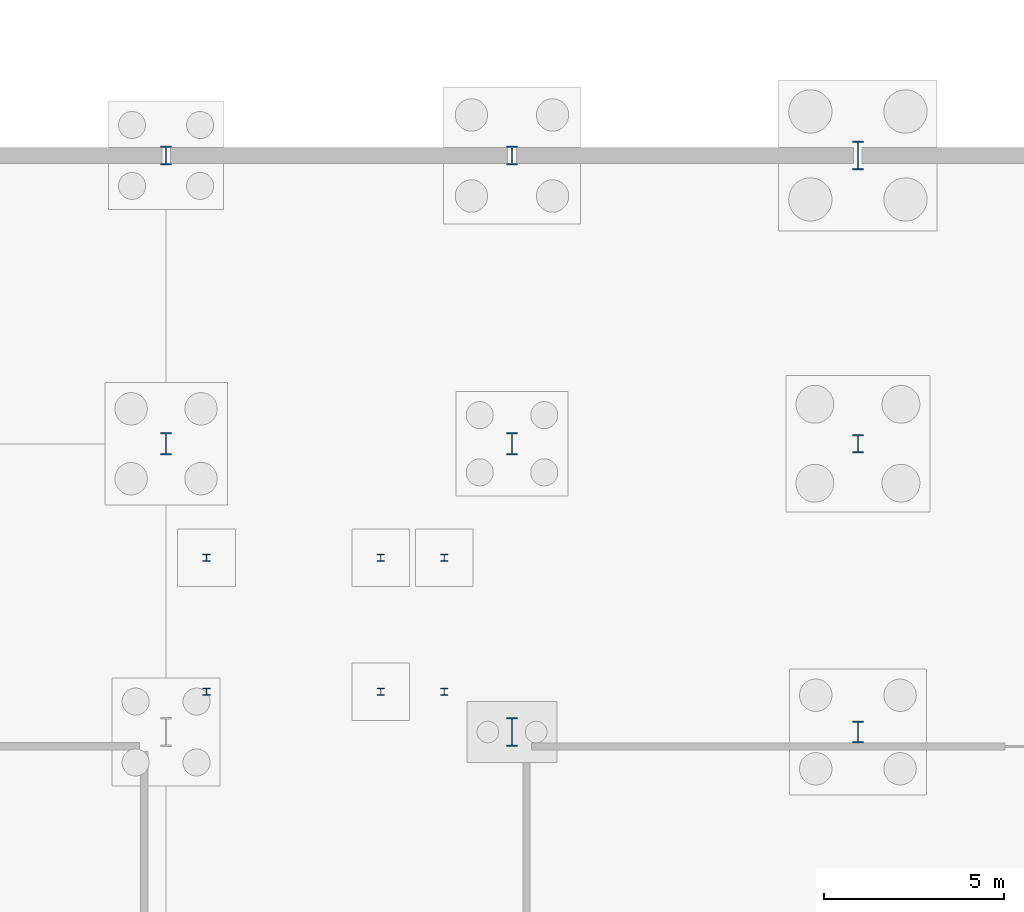
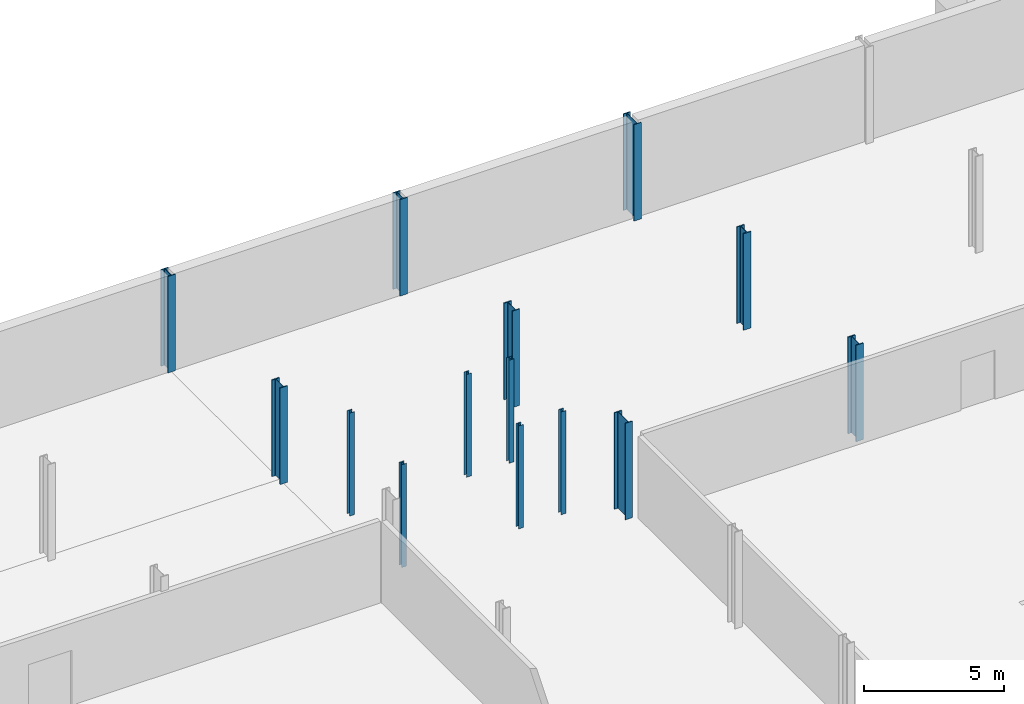
# One storey, part 24 of 47: 14 columns.
"""IFC4 building model written with IfcOpenShell, lengths in metres."""

from ifc_helpers import new_model, si_unit, direction, frame, origin, origin_2d, place, context, subcontext, project, spatial, i_section, extrude, material, material_profile, profile_set, type_object, element, save


model = new_model("IFC4")

# Units and contexts
model_context = context("Model", 3, precision=1e-05, world=origin(), true_north=direction((0.0, 1.0)))
body_context = subcontext(model_context, "Body", "Model", "MODEL_VIEW")
ifc_project = project(units=[si_unit("LENGTHUNIT", "METRE"), si_unit("AREAUNIT", "SQUARE_METRE"), si_unit("VOLUMEUNIT", "CUBIC_METRE"), si_unit("PLANEANGLEUNIT", "RADIAN"), si_unit("MASSUNIT", "GRAM", prefix="KILO")], contexts=[model_context])

# Site, building, storey
site_placement = place(None, origin())
site = spatial("IfcSite", under=ifc_project, at=site_placement, CompositionType="ELEMENT")
building_placement = place(site_placement, origin())
building = spatial("IfcBuilding", under=site, at=building_placement, Name="Alderhovde Museum", CompositionType="ELEMENT")
storey_placement = place(building_placement, frame((0.0, 0.0, -4.5)))
storey = spatial("IfcBuildingStorey", under=building, at=storey_placement, Name="B1", CompositionType="ELEMENT", Elevation=-4.5)

# Columns
ifc_material_1 = material(Name="Steel S355J2", Category="steel")
ifc_material_profile_1 = material_profile(ifc_material_1, i_section(OverallWidth=0.199951171875, OverallDepth=0.18994140625, WebThickness=0.006591796875, FlangeThickness=0.010009765625, FilletRadius=0.01806640625, at=origin_2d()), Name="HEA 200")
ifc_profile_set_1 = profile_set([ifc_material_profile_1], Name="Steel S355J2")
column_type_1 = type_object("IfcColumnType", Name="COL-HEA200", PredefinedType="COLUMN", material=ifc_profile_set_1)
for number, where, z_axis, x_axis, name in (
    (1, (77.919921875, 73.1201171875, 0.0), (0.0, 0.0, 1.0), (1.0, 0.0, 0.0), "B1 Stair ST5 Shaft Column 1"),
    (2, (84.52001953125, 73.1201171875, 0.0), (0.0, 0.0, 1.0), (1.0, 0.0, 0.0), "B1 Stair ST5 Shaft Column 2"),
    (3, (84.52001953125, 76.840087890625, 0.0), (0.0, 0.0, 1.0), (1.0, 0.0, 0.0), "B1 Stair ST5 Shaft Column 3"),
    (4, (77.919921875, 76.840087890625, 0.0), (0.0, 0.0, 1.0), (1.0, 0.0, 0.0), "B1 Stair ST5 Shaft Column 4"),
    (5, (82.760009765625, 73.1201171875, 0.0), (0.0, 0.0, 1.0), (1.0, 0.0, 0.0), "B1 Stair ST5 Shaft Column 5"),
    (6, (82.760009765625, 76.840087890625, 0.0), (0.0, 0.0, 1.0), (1.0, 0.0, 0.0), "B1 Stair ST5 Shaft Column 6"),
):
    element("IfcColumn", number, at=place(storey_placement, frame(where, z_axis=z_axis, x_axis=x_axis)), inside=storey, type_object=column_type_1, Name=name, PredefinedType="COLUMN", context=body_context, shape_type="SweptSolid", body=[
        extrude(i_section(OverallWidth=0.199951171875, OverallDepth=0.18994140625, WebThickness=0.006591796875, FlangeThickness=0.010009765625, FilletRadius=0.01806640625, at=origin_2d()), origin(), (0.0, 0.0, 1.0), 4.5),
    ])
ifc_material_2 = material(Name="Steel S355J2", Category="steel")
ifc_material_profile_2 = material_profile(ifc_material_2, i_section(OverallWidth=0.300048828125, OverallDepth=0.800048828125, WebThickness=0.017578125, FlangeThickness=0.032958984375, FilletRadius=0.030029296875, at=origin_2d()), Name="HEB 800")
ifc_profile_set_2 = profile_set([ifc_material_profile_2], Name="Steel S355J2")
column_type_2 = type_object("IfcColumnType", Name="COL-HEB800", PredefinedType="COLUMN", material=ifc_profile_set_2)
for number, where, z_axis, x_axis, name in (
    (7, (86.39990234375, 72.0, 0.0), (0.0, 0.0, 1.0), (1.0, 0.0, 0.0), "B1 Column (86.4, 72.0)"),
    (8, (96.0, 88.0, 0.0), (0.0, 0.0, 1.0), (1.0, 0.0, 0.0), "B1 Column (96.0, 88.0)"),
):
    element("IfcColumn", number, at=place(storey_placement, frame(where, z_axis=z_axis, x_axis=x_axis)), inside=storey, type_object=column_type_2, Name=name, PredefinedType="COLUMN", context=body_context, shape_type="SweptSolid", body=[
        extrude(i_section(OverallWidth=0.300048828125, OverallDepth=0.800048828125, WebThickness=0.017578125, FlangeThickness=0.032958984375, FilletRadius=0.030029296875, at=origin_2d()), origin(), (0.0, 0.0, 1.0), 4.219970703125),
    ])
ifc_material_3 = material(Name="Steel S355J2", Category="steel")
ifc_material_profile_3 = material_profile(ifc_material_3, i_section(OverallWidth=0.305908203125, OverallDepth=0.52392578125, WebThickness=0.02099609375, FlangeThickness=0.0400390625, FilletRadius=0.027099609375, at=origin_2d()), Name="HEM 500")
ifc_profile_set_3 = profile_set([ifc_material_profile_3], Name="Steel S355J2")
column_type_3 = type_object("IfcColumnType", Name="COL-HEM500", PredefinedType="COLUMN", material=ifc_profile_set_3)
for number, where, z_axis, x_axis, name in (
    (9, (76.800048828125, 88.0, 0.0), (0.0, 0.0, 1.0), (1.0, 0.0, 0.0), "B1 Column (76.8, 88.0)"),
    (10, (86.39990234375, 88.0, 0.0), (0.0, 0.0, 1.0), (1.0, 0.0, 0.0), "B1 Column (86.4, 88.0)"),
    (11, (96.0, 80.0, 0.0), (0.0, 0.0, 1.0), (1.0, 0.0, 0.0), "B1 Column (96.0, 80.0)"),
):
    element("IfcColumn", number, at=place(storey_placement, frame(where, z_axis=z_axis, x_axis=x_axis)), inside=storey, type_object=column_type_3, Name=name, PredefinedType="COLUMN", context=body_context, shape_type="SweptSolid", body=[
        extrude(i_section(OverallWidth=0.305908203125, OverallDepth=0.52392578125, WebThickness=0.02099609375, FlangeThickness=0.0400390625, FilletRadius=0.027099609375, at=origin_2d()), origin(), (0.0, 0.0, 1.0), 4.219970703125),
    ])
ifc_material_4 = material(Name="Steel S355J2", Category="steel")
ifc_material_profile_4 = material_profile(ifc_material_4, i_section(OverallWidth=0.304931640625, OverallDepth=0.6201171875, WebThickness=0.02099609375, FlangeThickness=0.0400390625, FilletRadius=0.027099609375, at=origin_2d()), Name="HEM 600")
ifc_profile_set_4 = profile_set([ifc_material_profile_4], Name="Steel S355J2")
column_type_4 = type_object("IfcColumnType", Name="COL-HEM600", PredefinedType="COLUMN", material=ifc_profile_set_4)
for number, where, z_axis, x_axis, name in (
    (12, (76.800048828125, 80.0, 0.0), (0.0, 0.0, 1.0), (1.0, 0.0, 0.0), "B1 Column (76.8, 80.0)"),
    (13, (86.39990234375, 80.0, 0.0), (0.0, 0.0, 1.0), (1.0, 0.0, 0.0), "B1 Column (86.4, 80.0)"),
    (14, (96.0, 72.0, 0.0), (0.0, 0.0, 1.0), (1.0, 0.0, 0.0), "B1 Column (96.0, 72.0)"),
):
    element("IfcColumn", number, at=place(storey_placement, frame(where, z_axis=z_axis, x_axis=x_axis)), inside=storey, type_object=column_type_4, Name=name, PredefinedType="COLUMN", context=body_context, shape_type="SweptSolid", body=[
        extrude(i_section(OverallWidth=0.304931640625, OverallDepth=0.6201171875, WebThickness=0.02099609375, FlangeThickness=0.0400390625, FilletRadius=0.027099609375, at=origin_2d()), origin(), (0.0, 0.0, 1.0), 4.219970703125),
    ])

save(model, "model.ifc")
